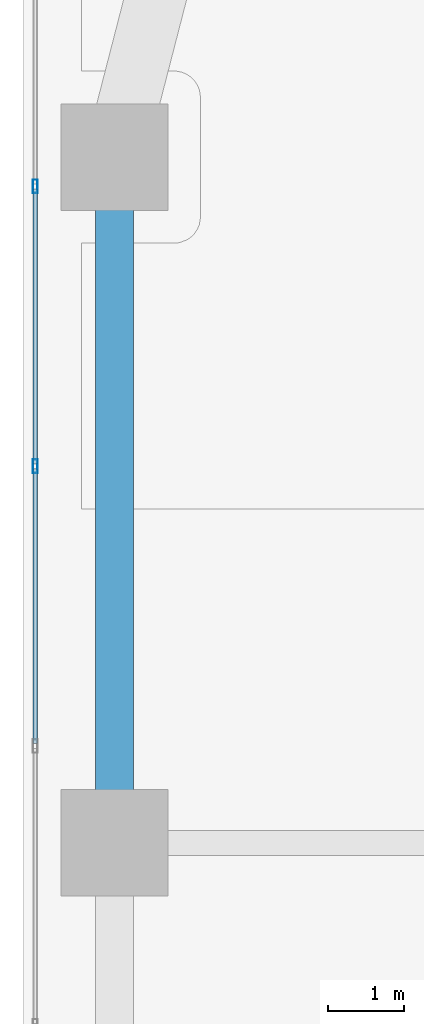
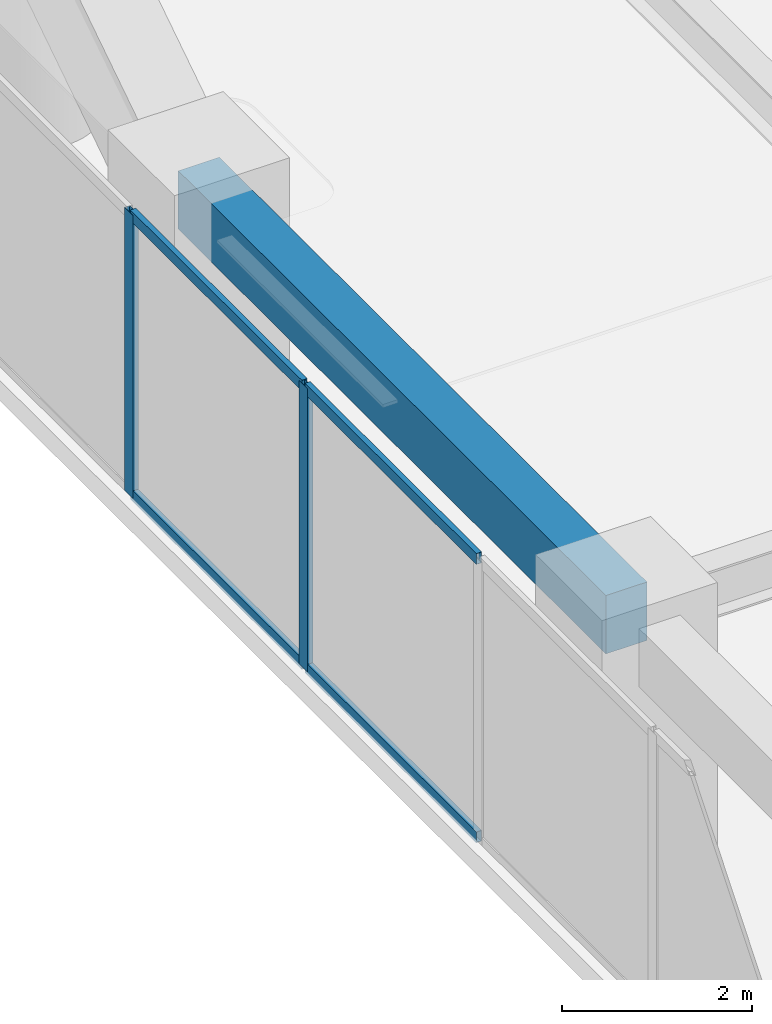
# One storey, part 9 of 24: 6 members, 1 beam, 1 element without a shape of its own.
"""IFC4 building model written with IfcOpenShell, lengths in metres."""

from ifc_helpers import new_model, si_unit, direction, frame, origin, origin_2d, place, context, subcontext, project, spatial, rectangle, hollow_rectangle, extrude, material, layer, layer_set, material_profile, profile_set, type_object, element, aggregate, save


model = new_model("IFC4")

# Units and contexts
model_context = context("Model", 3, precision=1e-05, world=origin(), true_north=direction((0.0, 1.0)))
body_context = subcontext(model_context, "Body", "Model", "MODEL_VIEW")
ifc_project = project(units=[si_unit("LENGTHUNIT", "METRE"), si_unit("AREAUNIT", "SQUARE_METRE"), si_unit("VOLUMEUNIT", "CUBIC_METRE"), si_unit("PLANEANGLEUNIT", "RADIAN"), si_unit("MASSUNIT", "GRAM", prefix="KILO")], contexts=[model_context])

# Site, building, storey
site_placement = place(None, origin())
site = spatial("IfcSite", under=ifc_project, at=site_placement, CompositionType="ELEMENT")
building_placement = place(site_placement, origin())
building = spatial("IfcBuilding", under=site, at=building_placement, Name="Kiyonajd Concourse Tower", CompositionType="ELEMENT")
storey_placement = place(building_placement, frame((0.0, 0.0, 113.10009765625)))
storey = spatial("IfcBuildingStorey", under=building, at=storey_placement, Name="L29", CompositionType="ELEMENT", Elevation=113.10009765625)

# Beam
ifc_material_1 = material(Name="Precast concrete C50/60", Category="concrete")
ifc_material_profile_1 = material_profile(ifc_material_1, rectangle(XDim=0.5, YDim=0.75, at=origin_2d()), Name="RCBM-500x750")
ifc_profile_set_1 = profile_set([ifc_material_profile_1], Name="Precast concrete C50/60")
beam_type = type_object("IfcBeamType", Name="BM-SPAN-RC", PredefinedType="SPANDREL", material=ifc_profile_set_1)
beam_placement = place(storey_placement, frame((19.199951171875, 53.39990234375, 3.264892578125), z_axis=(0.0, -1.0, 0.0), x_axis=(1.0, 0.0, 0.0)))
element("IfcBeam", 1, at=beam_placement, inside=storey, type_object=beam_type, Name="L29 Perimeter Bundled Tube Spandrel", PredefinedType="SPANDREL", context=body_context, shape_type="SweptSolid", body=[
    extrude(rectangle(XDim=0.5, YDim=0.75, at=origin_2d()), origin(), (0.0, 0.0, 1.0), 9.0),
])

# Curtain wall, members
ifc_material_2 = material(Name="Thermally Broken Anodised Aluminium", Category="aluminium")
ifc_layer = layer(ifc_material_2, 0.179931640625)
ifc_layer_set = layer_set([ifc_layer], Name="Thermally Broken Anodised Aluminium")
curtain_wall_type = type_object("IfcCurtainWallType", Name="CW-SYS-03", PredefinedType="NOTDEFINED", material=ifc_layer_set)
curtain_wall_placement = place(storey_placement, origin())
curtain_wall = element("IfcCurtainWall", 2, at=curtain_wall_placement, inside=storey, type_object=curtain_wall_type, Name="L29 Unitised Curtain Wall CW3", PredefinedType="NOTDEFINED")
ifc_material_profile_2 = material_profile(ifc_material_2, hollow_rectangle(XDim=0.06494140625, YDim=0.179931640625, WallThickness=0.00390625, at=origin_2d()), Name="MULL-65x180")
ifc_profile_set_2 = profile_set([ifc_material_profile_2], Name="Thermally Broken Anodised Aluminium")
member_type_1 = type_object("IfcMemberType", Name="MB-CW-MULL1", PredefinedType="MULLION", material=ifc_profile_set_2)
member_1_placement = place(storey_placement, frame((18.159912109375, 49.342529296875, 0.0), z_axis=(0.0, 0.0, 1.0), x_axis=(-1.0, 0.0, 0.0)))
member_1 = element("IfcMember", 3, at=member_1_placement, type_object=member_type_1, Name="CW3 mullion 5", PredefinedType="MULLION", context=body_context, shape_type="SweptSolid", body=[
    extrude(hollow_rectangle(XDim=0.06494140625, YDim=0.179931640625, WallThickness=0.00390625, at=origin_2d()), origin(), (0.0, 0.0, 1.0), 3.639892578125),
])
member_2_placement = place(storey_placement, frame((18.159912109375, 53.015869140625, 0.0), z_axis=(0.0, 0.0, 1.0), x_axis=(-1.0, 0.0, 0.0)))
member_2 = element("IfcMember", 4, at=member_2_placement, type_object=member_type_1, Name="CW3 mullion 6", PredefinedType="MULLION", context=body_context, shape_type="SweptSolid", body=[
    extrude(hollow_rectangle(XDim=0.06494140625, YDim=0.179931640625, WallThickness=0.00390625, at=origin_2d()), origin(), (0.0, 0.0, 1.0), 3.639892578125),
])
ifc_material_profile_3 = material_profile(ifc_material_2, hollow_rectangle(XDim=0.06494140625, YDim=0.139892578125, WallThickness=0.00390625, at=origin_2d()), Name="TRAN-65x140")
ifc_profile_set_3 = profile_set([ifc_material_profile_3], Name="Thermally Broken Anodised Aluminium")
member_type_2 = type_object("IfcMemberType", Name="MB-CW-TRAN1", PredefinedType="USERDEFINED", material=ifc_profile_set_3)
member_3_placement = place(storey_placement, frame((18.159912109375, 45.701904296875, 0.032470703125), z_axis=(0.0, 1.0, 0.0), x_axis=(-1.0, 0.0, 0.0)))
member_3 = element("IfcMember", 5, at=member_3_placement, type_object=member_type_2, Name="CW3 transom 4.1", ObjectType="TRANSOM", PredefinedType="USERDEFINED", context=body_context, shape_type="SweptSolid", body=[
    extrude(hollow_rectangle(XDim=0.06494140625, YDim=0.139892578125, WallThickness=0.00390625, at=origin_2d()), origin(), (0.0, 0.0, 1.0), 3.608154296875),
])
member_4_placement = place(storey_placement, frame((18.159912109375, 45.701904296875, 3.607421875), z_axis=(0.0, 1.0, 0.0), x_axis=(-1.0, 0.0, 0.0)))
member_4 = element("IfcMember", 6, at=member_4_placement, type_object=member_type_2, Name="CW3 transom 4.2", ObjectType="TRANSOM", PredefinedType="USERDEFINED", context=body_context, shape_type="SweptSolid", body=[
    extrude(hollow_rectangle(XDim=0.06494140625, YDim=0.139892578125, WallThickness=0.00390625, at=origin_2d()), origin(), (0.0, 0.0, 1.0), 3.608154296875),
])
member_5_placement = place(storey_placement, frame((18.159912109375, 49.375, 0.032470703125), z_axis=(0.0, 1.0, 0.0), x_axis=(-1.0, 0.0, 0.0)))
member_5 = element("IfcMember", 7, at=member_5_placement, type_object=member_type_2, Name="CW3 transom 5.1", ObjectType="TRANSOM", PredefinedType="USERDEFINED", context=body_context, shape_type="SweptSolid", body=[
    extrude(hollow_rectangle(XDim=0.06494140625, YDim=0.139892578125, WallThickness=0.00390625, at=origin_2d()), origin(), (0.0, 0.0, 1.0), 3.608154296875),
])
member_6_placement = place(storey_placement, frame((18.159912109375, 49.375, 3.607421875), z_axis=(0.0, 1.0, 0.0), x_axis=(-1.0, 0.0, 0.0)))
member_6 = element("IfcMember", 8, at=member_6_placement, type_object=member_type_2, Name="CW3 transom 5.2", ObjectType="TRANSOM", PredefinedType="USERDEFINED", context=body_context, shape_type="SweptSolid", body=[
    extrude(hollow_rectangle(XDim=0.06494140625, YDim=0.139892578125, WallThickness=0.00390625, at=origin_2d()), origin(), (0.0, 0.0, 1.0), 3.608154296875),
])
aggregate(curtain_wall, [member_1, member_2, member_3, member_4, member_5, member_6])

save(model, "model.ifc")
